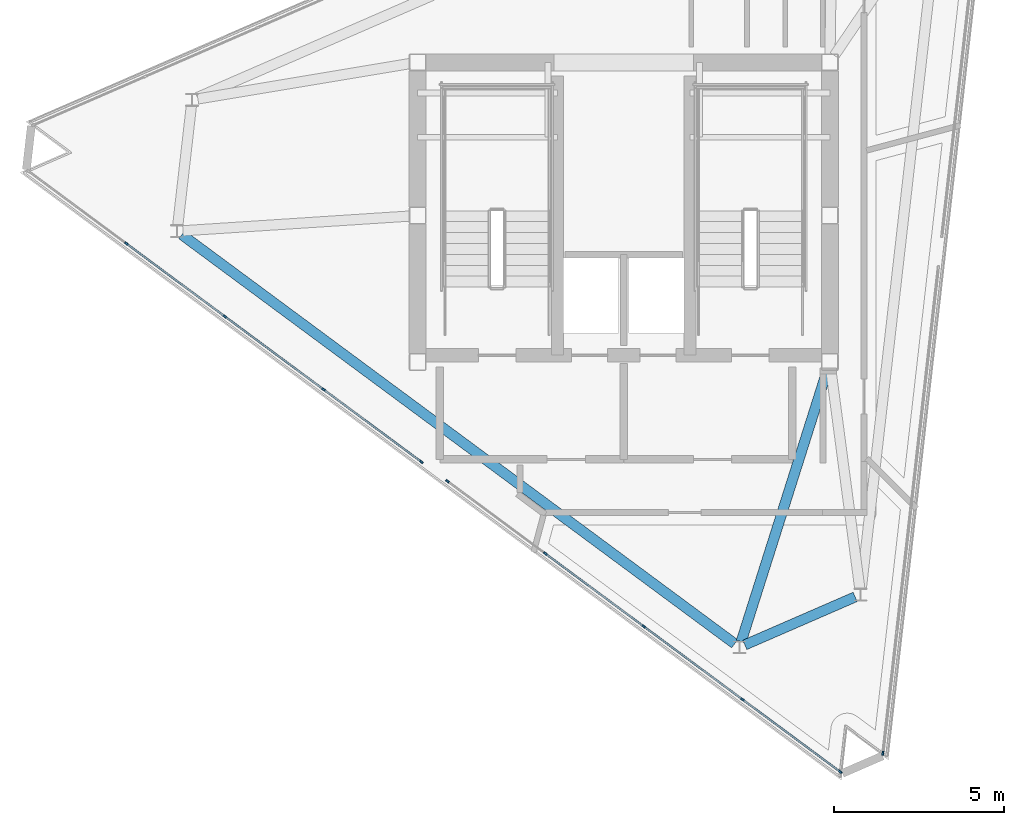
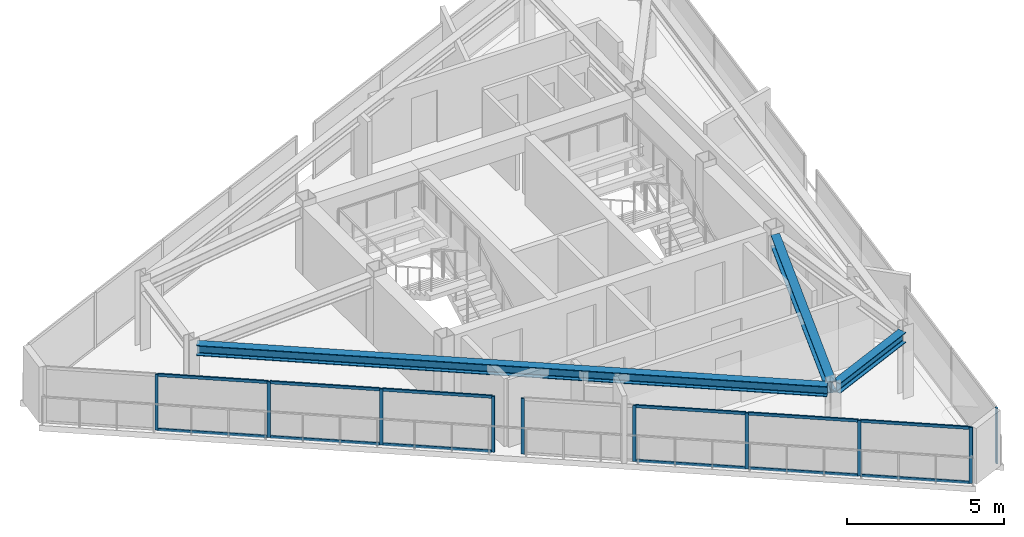
# One storey, part 2 of 9: 22 members, 3 beams, 3 elements without a shape of their own.
"""IFC4 building model written with IfcOpenShell, lengths in metres."""

from ifc_helpers import new_model, si_unit, direction, frame, origin, origin_2d, place, context, subcontext, project, spatial, rectangle, i_section, extrude, material, layer, layer_set, material_profile, profile_set, type_object, element, aggregate, save


model = new_model("IFC4")

# Units and contexts
model_context = context("Model", 3, precision=1e-05, world=origin(), true_north=direction((0.0, 1.0)))
body_context = subcontext(model_context, "Body", "Model", "MODEL_VIEW")
ifc_project = project(units=[si_unit("LENGTHUNIT", "METRE"), si_unit("AREAUNIT", "SQUARE_METRE"), si_unit("VOLUMEUNIT", "CUBIC_METRE"), si_unit("PLANEANGLEUNIT", "RADIAN"), si_unit("MASSUNIT", "GRAM", prefix="KILO")], contexts=[model_context])

# Site, building, storey
site_placement = place(None, origin())
site = spatial("IfcSite", under=ifc_project, at=site_placement, CompositionType="ELEMENT")
building_placement = place(site_placement, origin())
building = spatial("IfcBuilding", under=site, at=building_placement, Name="Rocaltana Carrier Exchange", CompositionType="ELEMENT")
storey_placement = place(building_placement, frame((0.0, 0.0, 246.239990234375)))
storey = spatial("IfcBuildingStorey", under=building, at=storey_placement, Name="L78", CompositionType="ELEMENT", Elevation=246.239990234375)

# Curtain wall, member
ifc_material_1 = material(Name="Aluminium 6063-T6", Category="aluminium")
ifc_layer = layer(ifc_material_1, 0.110107421875)
ifc_layer_set = layer_set([ifc_layer], Name="Aluminium 6063-T6")
curtain_wall_type = type_object("IfcCurtainWallType", Name="Crown Lantern Faceted Curtain Wall CW-06", PredefinedType="NOTDEFINED", material=ifc_layer_set)
curtain_wall_1_placement = place(storey_placement, origin())
curtain_wall_1 = element("IfcCurtainWall", 1, at=curtain_wall_1_placement, inside=storey, type_object=curtain_wall_type, Name="L78 CW-06 Run CW06-L78-F1S1", PredefinedType="NOTDEFINED")
ifc_material_2 = material(Name="Aluminium 6063-T6", Category="aluminium")
ifc_material_profile_1 = material_profile(ifc_material_2, rectangle(XDim=0.054931640625, YDim=0.110107421875, at=origin_2d()), Name="AL-55X110")
ifc_profile_set_1 = profile_set([ifc_material_profile_1], Name="Aluminium 6063-T6")
member_type_1 = type_object("IfcMemberType", Name="CW-06 Mullion AL-55X110", PredefinedType="MULLION", material=ifc_profile_set_1)
member_1_placement = place(storey_placement, frame((7.608154296875, -15.78515625, 0.0), z_axis=(0.0, 0.0, 1.0), x_axis=(-0.993571337936, 0.113207757829, 0.0)))
member_1 = element("IfcMember", 2, at=member_1_placement, type_object=member_type_1, Name="CW-06 mullion 1", PredefinedType="MULLION", context=body_context, shape_type="SweptSolid", body=[
    extrude(rectangle(XDim=0.054931640625, YDim=0.110107421875, at=origin_2d()), origin(), (0.0, 0.0, 1.0), 2.16796875),
])
aggregate(curtain_wall_1, [member_1])

# Curtain wall, members
curtain_wall_2_placement = place(storey_placement, origin())
curtain_wall_2 = element("IfcCurtainWall", 3, at=curtain_wall_2_placement, inside=storey, type_object=curtain_wall_type, Name="L78 CW-06 Run CW06-L78-F3S1", PredefinedType="NOTDEFINED")
member_2_placement = place(storey_placement, frame((-14.602783203125, -0.8212890625, 0.0), z_axis=(0.0, 0.0, 1.0), x_axis=(0.594818594609, 0.803859962623, 0.0)))
member_2 = element("IfcMember", 4, at=member_2_placement, type_object=member_type_1, Name="CW-06 mullion 2", PredefinedType="MULLION", context=body_context, shape_type="SweptSolid", body=[
    extrude(rectangle(XDim=0.054931640625, YDim=0.110107421875, at=origin_2d()), origin(), (0.0, 0.0, 1.0), 2.16796875),
])
member_3_placement = place(storey_placement, frame((-11.708984375, -2.962646484375, 0.0), z_axis=(0.0, 0.0, 1.0), x_axis=(0.594818594609, 0.803859962623, 0.0)))
member_3 = element("IfcMember", 5, at=member_3_placement, type_object=member_type_1, Name="CW-06 mullion 3", PredefinedType="MULLION", context=body_context, shape_type="SweptSolid", body=[
    extrude(rectangle(XDim=0.054931640625, YDim=0.110107421875, at=origin_2d()), origin(), (0.0, 0.0, 1.0), 2.16796875),
])
member_4_placement = place(storey_placement, frame((-8.81494140625, -5.10400390625, 0.0), z_axis=(0.0, 0.0, 1.0), x_axis=(0.594818594609, 0.803859962623, 0.0)))
member_4 = element("IfcMember", 6, at=member_4_placement, type_object=member_type_1, Name="CW-06 mullion 4", PredefinedType="MULLION", context=body_context, shape_type="SweptSolid", body=[
    extrude(rectangle(XDim=0.054931640625, YDim=0.110107421875, at=origin_2d()), origin(), (0.0, 0.0, 1.0), 2.16796875),
])
member_5_placement = place(storey_placement, frame((-5.943115234375, -7.22900390625, 0.0), z_axis=(0.0, 0.0, 1.0), x_axis=(0.594818594609, 0.803859962623, 0.0)))
member_5 = element("IfcMember", 7, at=member_5_placement, type_object=member_type_1, Name="CW-06 mullion 5", PredefinedType="MULLION", context=body_context, shape_type="SweptSolid", body=[
    extrude(rectangle(XDim=0.054931640625, YDim=0.110107421875, at=origin_2d()), origin(), (0.0, 0.0, 1.0), 2.16796875),
])

curtain_wall_3_placement = place(storey_placement, origin())
curtain_wall_3 = element("IfcCurtainWall", 8, at=curtain_wall_3_placement, inside=storey, type_object=curtain_wall_type, Name="L78 CW-06 Run CW06-L78-F3S2", PredefinedType="NOTDEFINED")
member_6_placement = place(storey_placement, frame((-5.175537109375, -7.797119140625, 0.0), z_axis=(0.0, 0.0, 1.0), x_axis=(0.594826402516, 0.80385418508, 0.0)))
member_6 = element("IfcMember", 9, at=member_6_placement, type_object=member_type_1, Name="CW-06 mullion 1", PredefinedType="MULLION", context=body_context, shape_type="SweptSolid", body=[
    extrude(rectangle(XDim=0.054931640625, YDim=0.110107421875, at=origin_2d()), origin(), (0.0, 0.0, 1.0), 2.16796875),
])
member_7_placement = place(storey_placement, frame((-2.3037109375, -9.922119140625, 0.0), z_axis=(0.0, 0.0, 1.0), x_axis=(0.594826402516, 0.80385418508, 0.0)))
member_7 = element("IfcMember", 10, at=member_7_placement, type_object=member_type_1, Name="CW-06 mullion 2", PredefinedType="MULLION", context=body_context, shape_type="SweptSolid", body=[
    extrude(rectangle(XDim=0.054931640625, YDim=0.110107421875, at=origin_2d()), origin(), (0.0, 0.0, 1.0), 2.16796875),
])
member_8_placement = place(storey_placement, frame((0.590087890625, -12.0634765625, 0.0), z_axis=(0.0, 0.0, 1.0), x_axis=(0.594826402516, 0.80385418508, 0.0)))
member_8 = element("IfcMember", 11, at=member_8_placement, type_object=member_type_1, Name="CW-06 mullion 3", PredefinedType="MULLION", context=body_context, shape_type="SweptSolid", body=[
    extrude(rectangle(XDim=0.054931640625, YDim=0.110107421875, at=origin_2d()), origin(), (0.0, 0.0, 1.0), 2.16796875),
])
member_9_placement = place(storey_placement, frame((3.484130859375, -14.204833984375, 0.0), z_axis=(0.0, 0.0, 1.0), x_axis=(0.594826402516, 0.80385418508, 0.0)))
member_9 = element("IfcMember", 12, at=member_9_placement, type_object=member_type_1, Name="CW-06 mullion 4", PredefinedType="MULLION", context=body_context, shape_type="SweptSolid", body=[
    extrude(rectangle(XDim=0.054931640625, YDim=0.110107421875, at=origin_2d()), origin(), (0.0, 0.0, 1.0), 2.16796875),
])
member_10_placement = place(storey_placement, frame((6.355712890625, -16.329833984375, 0.0), z_axis=(0.0, 0.0, 1.0), x_axis=(0.594826402516, 0.80385418508, 0.0)))
member_10 = element("IfcMember", 13, at=member_10_placement, type_object=member_type_1, Name="CW-06 mullion 5", PredefinedType="MULLION", context=body_context, shape_type="SweptSolid", body=[
    extrude(rectangle(XDim=0.054931640625, YDim=0.110107421875, at=origin_2d()), origin(), (0.0, 0.0, 1.0), 2.16796875),
])

# Member
ifc_material_3 = material(Name="Aluminium 6063-T6", Category="aluminium")
ifc_material_profile_2 = material_profile(ifc_material_3, rectangle(XDim=0.054931640625, YDim=0.110107421875, at=origin_2d()), Name="AL-55X110")
ifc_profile_set_2 = profile_set([ifc_material_profile_2], Name="Aluminium 6063-T6")
member_type_2 = type_object("IfcMemberType", Name="CW-06 Transom AL-55X110", PredefinedType="USERDEFINED", material=ifc_profile_set_2)
member_11_placement = place(storey_placement, frame((-14.580810546875, -0.837646484375, 0.027587890625), z_axis=(0.80387548556, -0.594797615761, 0.0), x_axis=(0.594797615761, 0.80387548556, 0.0)))
member_11 = element("IfcMember", 14, at=member_11_placement, type_object=member_type_2, Name="CW-06 transom 2.1", ObjectType="TRANSOM", PredefinedType="USERDEFINED", context=body_context, shape_type="SweptSolid", body=[
    extrude(rectangle(XDim=0.054931640625, YDim=0.110107421875, at=origin_2d()), origin(), (0.0, 0.0, 1.0), 3.545166015625),
])

member_12_placement = place(storey_placement, frame((-14.580810546875, -0.837646484375, 2.140625), z_axis=(0.80387548556, -0.594797615761, 0.0), x_axis=(0.594797615761, 0.80387548556, 0.0)))
member_12 = element("IfcMember", 15, at=member_12_placement, type_object=member_type_2, Name="CW-06 transom 2.2", ObjectType="TRANSOM", PredefinedType="USERDEFINED", context=body_context, shape_type="SweptSolid", body=[
    extrude(rectangle(XDim=0.054931640625, YDim=0.110107421875, at=origin_2d()), origin(), (0.0, 0.0, 1.0), 3.545166015625),
])

member_13_placement = place(storey_placement, frame((-11.686767578125, -2.97900390625, 0.027587890625), z_axis=(0.803851119753, -0.594830545006, 0.0), x_axis=(0.594830545006, 0.803851119753, 0.0)))
member_13 = element("IfcMember", 16, at=member_13_placement, type_object=member_type_2, Name="CW-06 transom 3.1", ObjectType="TRANSOM", PredefinedType="USERDEFINED", context=body_context, shape_type="SweptSolid", body=[
    extrude(rectangle(XDim=0.054931640625, YDim=0.110107421875, at=origin_2d()), origin(), (0.0, 0.0, 1.0), 3.544921875),
])

member_14_placement = place(storey_placement, frame((-11.686767578125, -2.97900390625, 2.140625), z_axis=(0.803851119753, -0.594830545006, 0.0), x_axis=(0.594830545006, 0.803851119753, 0.0)))
member_14 = element("IfcMember", 17, at=member_14_placement, type_object=member_type_2, Name="CW-06 transom 3.2", ObjectType="TRANSOM", PredefinedType="USERDEFINED", context=body_context, shape_type="SweptSolid", body=[
    extrude(rectangle(XDim=0.054931640625, YDim=0.110107421875, at=origin_2d()), origin(), (0.0, 0.0, 1.0), 3.544921875),
])

member_15_placement = place(storey_placement, frame((-8.79296875, -5.120361328125, 0.027587890625), z_axis=(0.803864466007, -0.59481250852, 0.0), x_axis=(0.59481250852, 0.803864466007, 0.0)))
member_15 = element("IfcMember", 18, at=member_15_placement, type_object=member_type_2, Name="CW-06 transom 4.1", ObjectType="TRANSOM", PredefinedType="USERDEFINED", context=body_context, shape_type="SweptSolid", body=[
    extrude(rectangle(XDim=0.054931640625, YDim=0.110107421875, at=origin_2d()), origin(), (0.0, 0.0, 1.0), 3.517578125),
])

member_16_placement = place(storey_placement, frame((-8.79296875, -5.120361328125, 2.140625), z_axis=(0.803864466007, -0.59481250852, 0.0), x_axis=(0.59481250852, 0.803864466007, 0.0)))
member_16 = element("IfcMember", 19, at=member_16_placement, type_object=member_type_2, Name="CW-06 transom 4.2", ObjectType="TRANSOM", PredefinedType="USERDEFINED", context=body_context, shape_type="SweptSolid", body=[
    extrude(rectangle(XDim=0.054931640625, YDim=0.110107421875, at=origin_2d()), origin(), (0.0, 0.0, 1.0), 3.517578125),
])

aggregate(curtain_wall_2, [member_2, member_3, member_4, member_5, member_11, member_12, member_13, member_14, member_15, member_16])

member_17_placement = place(storey_placement, frame((-2.28173828125, -9.9384765625, 0.027587890625), z_axis=(0.80387548556, -0.594797615761, 0.0), x_axis=(0.594797615761, 0.80387548556, 0.0)))
member_17 = element("IfcMember", 20, at=member_17_placement, type_object=member_type_2, Name="CW-06 transom 2.1", ObjectType="TRANSOM", PredefinedType="USERDEFINED", context=body_context, shape_type="SweptSolid", body=[
    extrude(rectangle(XDim=0.054931640625, YDim=0.110107421875, at=origin_2d()), origin(), (0.0, 0.0, 1.0), 3.545166015625),
])

member_18_placement = place(storey_placement, frame((-2.28173828125, -9.9384765625, 2.140625), z_axis=(0.80387548556, -0.594797615761, 0.0), x_axis=(0.594797615761, 0.80387548556, 0.0)))
member_18 = element("IfcMember", 21, at=member_18_placement, type_object=member_type_2, Name="CW-06 transom 2.2", ObjectType="TRANSOM", PredefinedType="USERDEFINED", context=body_context, shape_type="SweptSolid", body=[
    extrude(rectangle(XDim=0.054931640625, YDim=0.110107421875, at=origin_2d()), origin(), (0.0, 0.0, 1.0), 3.545166015625),
])

member_19_placement = place(storey_placement, frame((0.6123046875, -12.079833984375, 0.027587890625), z_axis=(0.803851119753, -0.594830545006, 0.0), x_axis=(0.594830545006, 0.803851119753, 0.0)))
member_19 = element("IfcMember", 22, at=member_19_placement, type_object=member_type_2, Name="CW-06 transom 3.1", ObjectType="TRANSOM", PredefinedType="USERDEFINED", context=body_context, shape_type="SweptSolid", body=[
    extrude(rectangle(XDim=0.054931640625, YDim=0.110107421875, at=origin_2d()), origin(), (0.0, 0.0, 1.0), 3.544921875),
])

member_20_placement = place(storey_placement, frame((0.6123046875, -12.079833984375, 2.140625), z_axis=(0.803851119753, -0.594830545006, 0.0), x_axis=(0.594830545006, 0.803851119753, 0.0)))
member_20 = element("IfcMember", 23, at=member_20_placement, type_object=member_type_2, Name="CW-06 transom 3.2", ObjectType="TRANSOM", PredefinedType="USERDEFINED", context=body_context, shape_type="SweptSolid", body=[
    extrude(rectangle(XDim=0.054931640625, YDim=0.110107421875, at=origin_2d()), origin(), (0.0, 0.0, 1.0), 3.544921875),
])

member_21_placement = place(storey_placement, frame((3.506103515625, -14.22119140625, 0.027587890625), z_axis=(0.803864466007, -0.59481250852, 0.0), x_axis=(0.59481250852, 0.803864466007, 0.0)))
member_21 = element("IfcMember", 24, at=member_21_placement, type_object=member_type_2, Name="CW-06 transom 4.1", ObjectType="TRANSOM", PredefinedType="USERDEFINED", context=body_context, shape_type="SweptSolid", body=[
    extrude(rectangle(XDim=0.054931640625, YDim=0.110107421875, at=origin_2d()), origin(), (0.0, 0.0, 1.0), 3.517578125),
])

member_22_placement = place(storey_placement, frame((3.506103515625, -14.22119140625, 2.140625), z_axis=(0.803864466007, -0.59481250852, 0.0), x_axis=(0.59481250852, 0.803864466007, 0.0)))
member_22 = element("IfcMember", 25, at=member_22_placement, type_object=member_type_2, Name="CW-06 transom 4.2", ObjectType="TRANSOM", PredefinedType="USERDEFINED", context=body_context, shape_type="SweptSolid", body=[
    extrude(rectangle(XDim=0.054931640625, YDim=0.110107421875, at=origin_2d()), origin(), (0.0, 0.0, 1.0), 3.517578125),
])

aggregate(curtain_wall_3, [member_6, member_7, member_8, member_9, member_10, member_17, member_18, member_19, member_20, member_21, member_22])

# Beams
ifc_material_4 = material(Name="Steel S460", Category="steel")
ifc_material_profile_3 = material_profile(ifc_material_4, i_section(OverallWidth=0.300048828125, OverallDepth=0.449951171875, WebThickness=0.013916015625, FlangeThickness=0.02587890625, FilletRadius=0.027099609375, at=origin_2d()), Name="HEB450")
ifc_profile_set_3 = profile_set([ifc_material_profile_3], Name="Steel S460")
beam_type_1 = type_object("IfcBeamType", Name="Crown Frame Rafter HEB450", PredefinedType="BEAM", material=ifc_profile_set_3)
beam_1_placement = place(storey_placement, frame((5.976806640625, -4.53076171875, 2.423095703125), z_axis=(-0.302197952625, -0.953245192712, 0.0), x_axis=(0.953245192712, -0.302197952625, 0.0)))
element("IfcBeam", 26, at=beam_1_placement, inside=storey, type_object=beam_type_1, Name="CRG-RAD-L78-06", PredefinedType="BEAM", context=body_context, shape_type="SweptSolid", body=[
    extrude(i_section(OverallWidth=0.300048828125, OverallDepth=0.449951171875, WebThickness=0.013916015625, FlangeThickness=0.02587890625, FilletRadius=0.027099609375, at=origin_2d()), origin(), (0.0, 0.0, 1.0), 8.3681640625),
])
ifc_material_5 = material(Name="Steel S460", Category="steel")
ifc_material_profile_4 = material_profile(ifc_material_5, i_section(OverallWidth=0.300048828125, OverallDepth=0.39990234375, WebThickness=0.013427734375, FlangeThickness=0.02392578125, FilletRadius=0.027099609375, at=origin_2d()), Name="HEB400")
ifc_profile_set_4 = profile_set([ifc_material_profile_4], Name="Steel S460")
beam_type_2 = type_object("IfcBeamType", Name="Crown Ring Beam HEB400", PredefinedType="BEAM", material=ifc_profile_set_4)
beam_2_placement = place(storey_placement, frame((-12.97265625, -0.561767578125, 2.447998046875), z_axis=(0.803856586634, -0.594823157018, 0.0), x_axis=(0.594823157018, 0.803856586634, 0.0)))
element("IfcBeam", 27, at=beam_2_placement, inside=storey, type_object=beam_type_2, Name="CRG-RING-L78-05", PredefinedType="BEAM", context=body_context, shape_type="SweptSolid", body=[
    extrude(i_section(OverallWidth=0.300048828125, OverallDepth=0.39990234375, WebThickness=0.013427734375, FlangeThickness=0.02392578125, FilletRadius=0.027099609375, at=origin_2d()), origin(), (0.0, 0.0, 1.0), 20.18798828125),
])
beam_3_placement = place(storey_placement, frame((3.55517578125, -12.60400390625, 2.447998046875), z_axis=(0.917068957049, 0.398728639574, 0.0), x_axis=(-0.398728639574, 0.917068957049, 0.0)))
element("IfcBeam", 28, at=beam_3_placement, inside=storey, type_object=beam_type_2, Name="CRG-RING-L78-06", PredefinedType="BEAM", context=body_context, shape_type="SweptSolid", body=[
    extrude(i_section(OverallWidth=0.300048828125, OverallDepth=0.39990234375, WebThickness=0.013427734375, FlangeThickness=0.02392578125, FilletRadius=0.027099609375, at=origin_2d()), origin(), (0.0, 0.0, 1.0), 3.531005859375),
])

save(model, "model.ifc")
